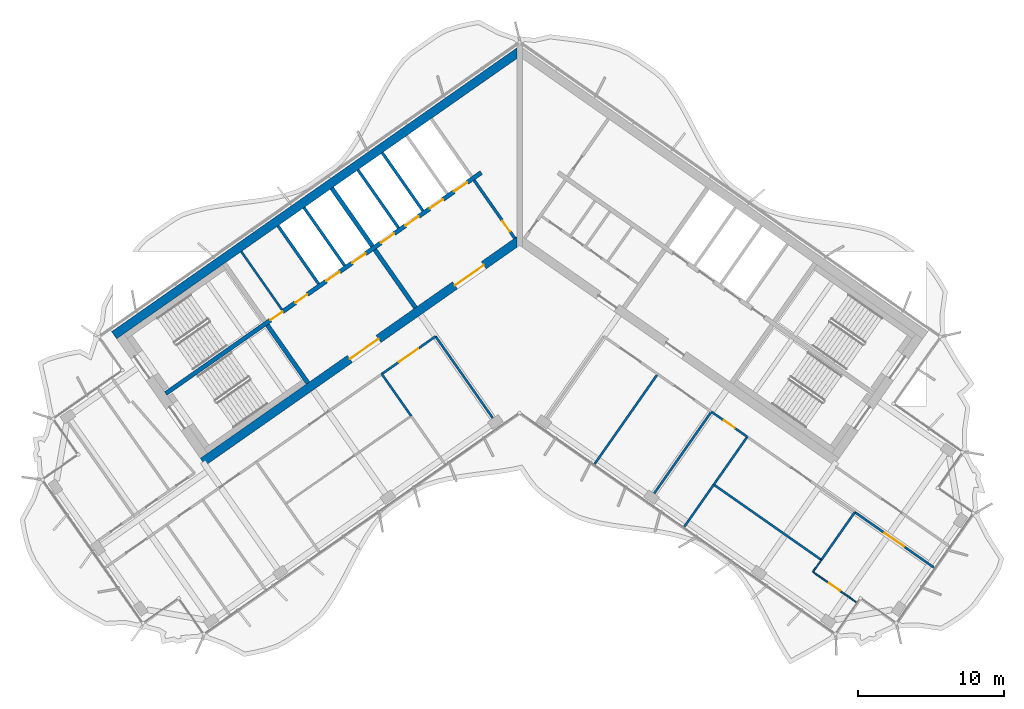
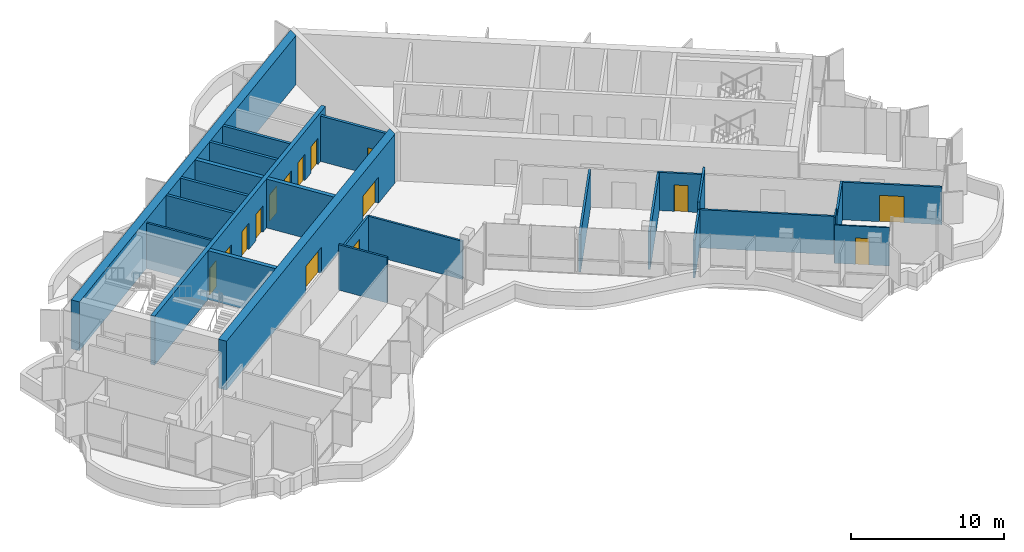
# One storey, part 10 of 18: 25 walls, 15 doors, 15 openings.
"""IFC4 building model written with IfcOpenShell, lengths in metres."""

from ifc_helpers import new_model, si_unit, direction, frame, frame_2d, origin, place, context, subcontext, project, spatial, polyline, rectangle, outline, extrude, material, layer, layer_set, type_object, element, fill, save


model = new_model("IFC4")

# Units and contexts
model_context = context("Model", 3, precision=1e-05, world=origin(), true_north=direction((0.0, 1.0)))
body_context = subcontext(model_context, "Body", "Model", "MODEL_VIEW")
ifc_project = project(units=[si_unit("LENGTHUNIT", "METRE"), si_unit("AREAUNIT", "SQUARE_METRE"), si_unit("VOLUMEUNIT", "CUBIC_METRE"), si_unit("PLANEANGLEUNIT", "RADIAN"), si_unit("MASSUNIT", "GRAM", prefix="KILO")], contexts=[model_context])

# Site, building, storey
site_placement = place(None, origin())
site = spatial("IfcSite", under=ifc_project, at=site_placement, CompositionType="ELEMENT")
building_placement = place(site_placement, origin())
building = spatial("IfcBuilding", under=site, at=building_placement, Name="Tel Ilan Convention Tower", CompositionType="ELEMENT")
storey_placement = place(building_placement, frame((0.0, 0.0, 264.39990234375)))
storey = spatial("IfcBuildingStorey", under=building, at=storey_placement, Name="L62", CompositionType="ELEMENT", Elevation=264.39990234375)

# Wall
ifc_material_1 = material(Name="Gypsum Plasterboard on Steel Stud", Category="steel")
ifc_layer_1 = layer(ifc_material_1, 0.14990234375)
ifc_layer_set_1 = layer_set([ifc_layer_1], Name="Core Room Partition Wall 150 mm EI 60")
wall_type_1 = type_object("IfcWallType", Name="Core Room Partition Wall 150 mm EI 60", PredefinedType="PARTITIONING", material=ifc_layer_set_1)
wall_1_placement = place(storey_placement, frame((-16.302001953125, -5.6162109375, 0.0), z_axis=(0.0, 0.0, 1.0), x_axis=(-0.573560315113, 0.819163332265, 0.0)))
element("IfcWall", 1, at=wall_1_placement, inside=storey, type_object=wall_type_1, Name="L62 core wall bank-W2-split", PredefinedType="PARTITIONING", context=body_context, shape_type="SweptSolid", body=[
    extrude(rectangle(XDim=4.849853515625, YDim=0.14990234375, at=frame_2d((2.4248046875, 0.0))), origin(), (0.0, 0.0, 1.0), 3.6201171875),
])

# Wall, opening, door
ifc_material_2 = material(Name="Concrete C30/37", Category="concrete")
ifc_layer_2 = layer(ifc_material_2, 0.199951171875)
ifc_layer_set_2 = layer_set([ifc_layer_2], Name="Core Service Room Wall 200 mm C30/37")
wall_type_2 = type_object("IfcWallType", Name="Core Service Room Wall 200 mm C30/37", PredefinedType="SOLIDWALL", material=ifc_layer_set_2)
wall_2_placement = place(storey_placement, frame((-0.343994140625, -0.729248046875, 0.0), z_axis=(0.0, 0.0, 1.0), x_axis=(-0.573560315113, 0.819163332265, 0.0)))
wall_2 = element("IfcWall", 2, at=wall_2_placement, inside=storey, type_object=wall_type_2, Name="L62 core wall apex-W", PredefinedType="SOLIDWALL", context=body_context, shape_type="SweptSolid", body=[
    extrude(rectangle(XDim=4.849853515625, YDim=0.199951171875, at=frame_2d((2.4248046875, 0.0))), origin(), (0.0, 0.0, 1.0), 3.6201171875),
])
opening_1_placement = place(wall_2_placement, frame((0.550048828125, 0.0, 0.0)))
opening_1 = element("IfcOpeningElement", 3, at=opening_1_placement, cuts=wall_2, Name="Opening CD4702", PredefinedType="OPENING", context=body_context, shape_type="SweptSolid", body=[
    extrude(rectangle(XDim=0.89990234375, YDim=2.10009765625, at=frame_2d((0.449951171875, 1.050048828125))), frame((0.0, 0.10986328125, 0.0), z_axis=(0.0, -1.0, 0.0), x_axis=(1.0, 0.0, 0.0)), (0.0, 0.0, 1.0), 0.219970703125),
])
ifc_material_3 = material(Name="Galvanised Steel Door Leaf", Category="steel")
door_type_1 = type_object("IfcDoorType", Name="Service Room Door 900 x 2100 FD60", OperationType="NOTDEFINED", PredefinedType="DOOR", material=ifc_material_3)
door_1_placement = place(opening_1_placement, origin())
door_1 = element("IfcDoor", 4, at=door_1_placement, inside=storey, type_object=door_type_1, Name="Riser Room door", OperationType="SINGLE_SWING_RIGHT", OverallHeight=2.10009765625, OverallWidth=0.89990234375, PredefinedType="DOOR", context=body_context, shape_type="SweptSolid", body=[
    extrude(rectangle(XDim=0.89990234375, YDim=2.10009765625, at=frame_2d((0.449951171875, 1.050048828125))), frame((0.0, 0.02490234375, 0.0), z_axis=(0.0, -1.0, 0.0), x_axis=(1.0, 0.0, 0.0)), (0.0, 0.0, 1.0), 0.050048828125),
])
fill(opening_1, door_1)

# Walls
ifc_material_4 = material(Name="Concrete C40/50", Category="concrete")
ifc_layer_3 = layer(ifc_material_4, 0.300048828125)
ifc_layer_set_3 = layer_set([ifc_layer_3], Name="Core Shear Wall 300 mm C40/50")
wall_type_3 = type_object("IfcWallType", Name="Core Shear Wall 300 mm C40/50", PredefinedType="SHEAR", material=ifc_layer_set_3)
wall_3_placement = place(storey_placement, frame((-7.142822265625, -5.48974609375, 0.0), z_axis=(0.0, 0.0, 1.0), x_axis=(-0.573617744349, 0.819123118565, 0.0)))
element("IfcWall", 5, at=wall_3_placement, inside=storey, type_object=wall_type_3, Name="L62 core wall W-cross1-1", PredefinedType="SHEAR", context=body_context, shape_type="SweptSolid", body=[
    extrude(outline(polyline([(4.85009765625, 0.14990234375), (0.0, 0.150146484375), (0.0, -0.14990234375), (4.85009765625, -0.150146484375), (4.85009765625, 0.14990234375)])), origin(), (0.0, 0.0, 1.0), 3.900146484375),
])
wall_4_placement = place(storey_placement, frame((-10.096923828125, -1.271240234375, 0.0), z_axis=(0.0, 0.0, 1.0), x_axis=(-0.573560315113, 0.819163332265, 0.0)))
element("IfcWall", 6, at=wall_4_placement, inside=storey, type_object=wall_type_3, Name="L62 core wall W-cross1-2", PredefinedType="SHEAR", context=body_context, shape_type="SweptSolid", body=[
    extrude(outline(polyline([(4.849853515625, -0.14990234375), (4.849853515625, 0.150146484375), (0.0, 0.14990234375), (0.0, -0.150146484375), (4.849853515625, -0.14990234375)])), origin(), (0.0, 0.0, 1.0), 3.900146484375),
])
wall_5_placement = place(storey_placement, frame((-14.515380859375, -10.652099609375, 0.0), z_axis=(0.0, 0.0, 1.0), x_axis=(-0.573560315113, 0.819163332265, 0.0)))
element("IfcWall", 7, at=wall_5_placement, inside=storey, type_object=wall_type_3, Name="L62 core wall W-cross2-1", PredefinedType="SHEAR", context=body_context, shape_type="SweptSolid", body=[
    extrude(outline(polyline([(4.85009765625, 0.14990234375), (0.0, 0.14990234375), (0.0, -0.150146484375), (4.85009765625, -0.14990234375), (4.85009765625, 0.14990234375)])), origin(), (0.0, 0.0, 1.0), 3.900146484375),
])

# Wall, openings, doors
wall_6_placement = place(storey_placement, frame((-2.638427734375, 3.76806640625, 0.0), z_axis=(0.0, 0.0, 1.0), x_axis=(-0.819155014212, -0.573572194837, 0.0)))
wall_6 = element("IfcWall", 8, at=wall_6_placement, inside=storey, type_object=wall_type_3, Name="L62 core wall W-spine", PredefinedType="SHEAR", context=body_context, shape_type="SweptSolid", body=[
    extrude(outline(polyline([(26.39990234375, 0.150146484375), (0.0, 0.14990234375), (0.0, -0.150146484375), (26.39990234375, -0.14990234375), (26.39990234375, 0.150146484375)])), origin(), (0.0, 0.0, 1.0), 3.900146484375),
])
opening_2_placement = place(wall_6_placement, frame((1.168701171875, 0.0, 0.0)))
opening_2 = element("IfcOpeningElement", 9, at=opening_2_placement, cuts=wall_6, Name="Opening LD4704", PredefinedType="OPENING", context=body_context, shape_type="SweptSolid", body=[
    extrude(rectangle(XDim=1.10009765625, YDim=2.10009765625, at=frame_2d((0.550048828125, 1.050048828125))), frame((0.0, 0.159912109375, 0.0), z_axis=(0.0, -1.0, 0.0), x_axis=(1.0, 0.0, 0.0)), (0.0, 0.0, 1.0), 0.320068359375),
])
opening_3_placement = place(wall_6_placement, frame((3.206298828125, 0.0, 0.0)))
opening_3 = element("IfcOpeningElement", 10, at=opening_3_placement, cuts=wall_6, Name="Opening LD4705", PredefinedType="OPENING", context=body_context, shape_type="SweptSolid", body=[
    extrude(rectangle(XDim=1.10009765625, YDim=2.10009765625, at=frame_2d((0.550048828125, 1.050048828125))), frame((0.0, 0.159912109375, 0.0), z_axis=(0.0, -1.0, 0.0), x_axis=(1.0, 0.0, 0.0)), (0.0, 0.0, 1.0), 0.320068359375),
])
opening_4_placement = place(wall_6_placement, frame((5.24365234375, 0.0, 0.0)))
opening_4 = element("IfcOpeningElement", 11, at=opening_4_placement, cuts=wall_6, Name="Opening LD4706", PredefinedType="OPENING", context=body_context, shape_type="SweptSolid", body=[
    extrude(rectangle(XDim=1.10009765625, YDim=2.10009765625, at=frame_2d((0.550048828125, 1.050048828125))), frame((0.0, 0.159912109375, 0.0), z_axis=(0.0, -1.0, 0.0), x_axis=(1.0, 0.0, 0.0)), (0.0, 0.0, 1.0), 0.320068359375),
])
opening_5_placement = place(wall_6_placement, frame((7.28125, 0.0, 0.0)))
opening_5 = element("IfcOpeningElement", 12, at=opening_5_placement, cuts=wall_6, Name="Opening LD4707", PredefinedType="OPENING", context=body_context, shape_type="SweptSolid", body=[
    extrude(rectangle(XDim=1.10009765625, YDim=2.10009765625, at=frame_2d((0.550048828125, 1.050048828125))), frame((0.0, 0.159912109375, 0.0), z_axis=(0.0, -1.0, 0.0), x_axis=(1.0, 0.0, 0.0)), (0.0, 0.0, 1.0), 0.320068359375),
])
opening_6_placement = place(wall_6_placement, frame((9.6875, 0.0, 0.0)))
opening_6 = element("IfcOpeningElement", 13, at=opening_6_placement, cuts=wall_6, Name="Opening LD4708", PredefinedType="OPENING", context=body_context, shape_type="SweptSolid", body=[
    extrude(rectangle(XDim=1.10009765625, YDim=2.10009765625, at=frame_2d((0.550048828125, 1.050048828125))), frame((0.0, 0.159912109375, 0.0), z_axis=(0.0, -1.0, 0.0), x_axis=(1.0, 0.0, 0.0)), (0.0, 0.0, 1.0), 0.320068359375),
])
opening_7_placement = place(wall_6_placement, frame((11.862548828125, 0.0, 0.0)))
opening_7 = element("IfcOpeningElement", 14, at=opening_7_placement, cuts=wall_6, Name="Opening LD4709", PredefinedType="OPENING", context=body_context, shape_type="SweptSolid", body=[
    extrude(rectangle(XDim=1.10009765625, YDim=2.10009765625, at=frame_2d((0.550048828125, 1.050048828125))), frame((0.0, 0.159912109375, 0.0), z_axis=(0.0, -1.0, 0.0), x_axis=(1.0, 0.0, 0.0)), (0.0, 0.0, 1.0), 0.320068359375),
])
opening_8_placement = place(wall_6_placement, frame((14.552490234375, 0.0, 0.0)))
opening_8 = element("IfcOpeningElement", 15, at=opening_8_placement, cuts=wall_6, Name="Opening CD4709", PredefinedType="OPENING", context=body_context, shape_type="SweptSolid", body=[
    extrude(rectangle(XDim=1.0, YDim=2.10009765625, at=frame_2d((0.5, 1.050048828125))), frame((0.0, 0.159912109375, 0.0), z_axis=(0.0, -1.0, 0.0), x_axis=(1.0, 0.0, 0.0)), (0.0, 0.0, 1.0), 0.320068359375),
])
opening_9_placement = place(wall_6_placement, frame((16.62744140625, 0.0, 0.0)))
opening_9 = element("IfcOpeningElement", 16, at=opening_9_placement, cuts=wall_6, Name="Opening CD4710", PredefinedType="OPENING", context=body_context, shape_type="SweptSolid", body=[
    extrude(rectangle(XDim=1.0, YDim=2.10009765625, at=frame_2d((0.5, 1.050048828125))), frame((0.0, 0.159912109375, 0.0), z_axis=(0.0, -1.0, 0.0), x_axis=(1.0, 0.0, 0.0)), (0.0, 0.0, 1.0), 0.320068359375),
])
ifc_material_5 = material(Name="Stainless Steel Sliding Door Leaf", Category="steel")
door_type_2 = type_object("IfcDoorType", Name="Lift Landing Door 1100 x 2100 FD120", OperationType="NOTDEFINED", PredefinedType="DOOR", material=ifc_material_5)
door_2_placement = place(opening_2_placement, origin())
door_2 = element("IfcDoor", 17, at=door_2_placement, inside=storey, type_object=door_type_2, Name="Lift HR1 landing door", OperationType="SLIDING_TO_LEFT", OverallHeight=2.10009765625, OverallWidth=1.10009765625, PredefinedType="DOOR", context=body_context, shape_type="SweptSolid", body=[
    extrude(rectangle(XDim=1.10009765625, YDim=2.10009765625, at=frame_2d((0.550048828125, 1.050048828125))), frame((0.0, 0.02490234375, 0.0), z_axis=(0.0, -1.0, 0.0), x_axis=(1.0, 0.0, 0.0)), (0.0, 0.0, 1.0), 0.050048828125),
])
fill(opening_2, door_2)
door_3_placement = place(opening_3_placement, origin())
door_3 = element("IfcDoor", 18, at=door_3_placement, inside=storey, type_object=door_type_2, Name="Lift HR2 landing door", OperationType="SLIDING_TO_RIGHT", OverallHeight=2.10009765625, OverallWidth=1.10009765625, PredefinedType="DOOR", context=body_context, shape_type="SweptSolid", body=[
    extrude(rectangle(XDim=1.10009765625, YDim=2.10009765625, at=frame_2d((0.550048828125, 1.050048828125))), frame((0.0, 0.02490234375, 0.0), z_axis=(0.0, -1.0, 0.0), x_axis=(1.0, 0.0, 0.0)), (0.0, 0.0, 1.0), 0.050048828125),
])
fill(opening_3, door_3)
door_4_placement = place(opening_4_placement, origin())
door_4 = element("IfcDoor", 19, at=door_4_placement, inside=storey, type_object=door_type_2, Name="Lift HR3 landing door", OperationType="SLIDING_TO_LEFT", OverallHeight=2.10009765625, OverallWidth=1.10009765625, PredefinedType="DOOR", context=body_context, shape_type="SweptSolid", body=[
    extrude(rectangle(XDim=1.10009765625, YDim=2.10009765625, at=frame_2d((0.550048828125, 1.050048828125))), frame((0.0, 0.02490234375, 0.0), z_axis=(0.0, -1.0, 0.0), x_axis=(1.0, 0.0, 0.0)), (0.0, 0.0, 1.0), 0.050048828125),
])
fill(opening_4, door_4)
door_5_placement = place(opening_5_placement, origin())
door_5 = element("IfcDoor", 20, at=door_5_placement, inside=storey, type_object=door_type_2, Name="Lift HR4 landing door", OperationType="SLIDING_TO_RIGHT", OverallHeight=2.10009765625, OverallWidth=1.10009765625, PredefinedType="DOOR", context=body_context, shape_type="SweptSolid", body=[
    extrude(rectangle(XDim=1.10009765625, YDim=2.10009765625, at=frame_2d((0.550048828125, 1.050048828125))), frame((0.0, 0.02490234375, 0.0), z_axis=(0.0, -1.0, 0.0), x_axis=(1.0, 0.0, 0.0)), (0.0, 0.0, 1.0), 0.050048828125),
])
fill(opening_5, door_5)
door_6_placement = place(opening_6_placement, origin())
door_6 = element("IfcDoor", 21, at=door_6_placement, inside=storey, type_object=door_type_2, Name="Lift HR5 landing door", OperationType="SLIDING_TO_LEFT", OverallHeight=2.10009765625, OverallWidth=1.10009765625, PredefinedType="DOOR", context=body_context, shape_type="SweptSolid", body=[
    extrude(rectangle(XDim=1.10009765625, YDim=2.10009765625, at=frame_2d((0.550048828125, 1.050048828125))), frame((0.0, 0.02490234375, 0.0), z_axis=(0.0, -1.0, 0.0), x_axis=(1.0, 0.0, 0.0)), (0.0, 0.0, 1.0), 0.050048828125),
])
fill(opening_6, door_6)
door_7_placement = place(opening_7_placement, origin())
door_7 = element("IfcDoor", 22, at=door_7_placement, inside=storey, type_object=door_type_2, Name="Lift HR6 landing door", OperationType="SLIDING_TO_RIGHT", OverallHeight=2.10009765625, OverallWidth=1.10009765625, PredefinedType="DOOR", context=body_context, shape_type="SweptSolid", body=[
    extrude(rectangle(XDim=1.10009765625, YDim=2.10009765625, at=frame_2d((0.550048828125, 1.050048828125))), frame((0.0, 0.02490234375, 0.0), z_axis=(0.0, -1.0, 0.0), x_axis=(1.0, 0.0, 0.0)), (0.0, 0.0, 1.0), 0.050048828125),
])
fill(opening_7, door_7)
ifc_material_6 = material(Name="Galvanised Steel Door Leaf", Category="steel")
door_type_3 = type_object("IfcDoorType", Name="Service Room Door 1000 x 2100 FD60", OperationType="NOTDEFINED", PredefinedType="DOOR", material=ifc_material_6)
door_8_placement = place(opening_8_placement, origin())
door_8 = element("IfcDoor", 23, at=door_8_placement, inside=storey, type_object=door_type_3, Name="Plant Room door", OperationType="SINGLE_SWING_RIGHT", OverallHeight=2.10009765625, OverallWidth=1.0, PredefinedType="DOOR", context=body_context, shape_type="SweptSolid", body=[
    extrude(rectangle(XDim=1.0, YDim=2.10009765625, at=frame_2d((0.5, 1.050048828125))), frame((0.0, 0.02490234375, 0.0), z_axis=(0.0, -1.0, 0.0), x_axis=(1.0, 0.0, 0.0)), (0.0, 0.0, 1.0), 0.050048828125),
])
fill(opening_8, door_8)
door_9_placement = place(opening_9_placement, origin())
door_9 = element("IfcDoor", 24, at=door_9_placement, inside=storey, type_object=door_type_3, Name="Plant Room door", OperationType="SINGLE_SWING_RIGHT", OverallHeight=2.10009765625, OverallWidth=1.0, PredefinedType="DOOR", context=body_context, shape_type="SweptSolid", body=[
    extrude(rectangle(XDim=1.0, YDim=2.10009765625, at=frame_2d((0.5, 1.050048828125))), frame((0.0, 0.02490234375, 0.0), z_axis=(0.0, -1.0, 0.0), x_axis=(1.0, 0.0, 0.0)), (0.0, 0.0, 1.0), 0.050048828125),
])
fill(opening_9, door_9)

# Wall
ifc_material_7 = material(Name="Concrete C40/50", Category="concrete")
ifc_layer_4 = layer(ifc_material_7, 0.60009765625)
ifc_layer_set_4 = layer_set([ifc_layer_4], Name="Core Shear Wall 600 mm C40/50")
wall_type_4 = type_object("IfcWallType", Name="Core Shear Wall 600 mm C40/50", PredefinedType="SHEAR", material=ifc_layer_set_4)
wall_7_placement = place(storey_placement, frame((-0.02783203125, 12.066162109375, 0.0), z_axis=(0.0, 0.0, 1.0), x_axis=(-0.819151382952, -0.573577380837, 0.0)))
element("IfcWall", 25, at=wall_7_placement, inside=storey, type_object=wall_type_4, Name="L62 core wall W-back", PredefinedType="SHEAR", context=body_context, shape_type="SweptSolid", body=[
    extrude(outline(polyline([(33.89794921875, 0.300048828125), (0.420166015625, 0.300048828125), (0.0, -0.300048828125), (33.898193359375, -0.300048828125), (33.89794921875, 0.300048828125)])), origin(), (0.0, 0.0, 1.0), 3.900146484375),
])

# Wall, openings, doors
wall_8_placement = place(storey_placement, frame((-0.02783203125, -0.8740234375, 0.0), z_axis=(0.0, 0.0, 1.0), x_axis=(-0.819150035022, -0.573579305871, 0.0)))
wall_8 = element("IfcWall", 26, at=wall_8_placement, inside=storey, type_object=wall_type_4, Name="L62 core wall W-front", PredefinedType="SHEAR", context=body_context, shape_type="SweptSolid", body=[
    extrude(outline(polyline([(26.475830078125, 0.2998046875), (0.420166015625, 0.300048828125), (0.000244140625, -0.300048828125), (26.475830078125, -0.300048828125), (26.475830078125, 0.2998046875)])), origin(), (0.0, 0.0, 1.0), 3.900146484375),
])
opening_10_placement = place(wall_8_placement, frame((2.975830078125, 0.0, 0.0)))
opening_10 = element("IfcOpeningElement", 27, at=opening_10_placement, cuts=wall_8, Name="Opening CD4706", PredefinedType="OPENING", context=body_context, shape_type="SweptSolid", body=[
    extrude(rectangle(XDim=2.39990234375, YDim=2.10009765625, at=frame_2d((1.199951171875, 1.050048828125))), frame((0.0, 0.31005859375, 0.0), z_axis=(0.0, -1.0, 0.0), x_axis=(1.0, 0.0, 0.0)), (0.0, 0.0, 1.0), 0.6201171875),
])
opening_11_placement = place(wall_8_placement, frame((11.77587890625, 0.0, 0.0)))
opening_11 = element("IfcOpeningElement", 28, at=opening_11_placement, cuts=wall_8, Name="Opening CD4707", PredefinedType="OPENING", context=body_context, shape_type="SweptSolid", body=[
    extrude(rectangle(XDim=2.39990234375, YDim=2.10009765625, at=frame_2d((1.199951171875, 1.050048828125))), frame((0.0, 0.31005859375, 0.0), z_axis=(0.0, -1.0, 0.0), x_axis=(1.0, 0.0, 0.0)), (0.0, 0.0, 1.0), 0.6201171875),
])
ifc_material_8 = material(Name="Glazed Aluminium Door Leaf", Category="aluminium")
door_type_4 = type_object("IfcDoorType", Name="Lobby Opening Door 2400 x 2100 FD60S", OperationType="NOTDEFINED", PredefinedType="DOOR", material=ifc_material_8)
door_10_placement = place(opening_10_placement, origin())
door_10 = element("IfcDoor", 29, at=door_10_placement, inside=storey, type_object=door_type_4, Name="Lift Lobby HR1-HR4 opening", OperationType="DOUBLE_DOOR_SINGLE_SWING", OverallHeight=2.10009765625, OverallWidth=2.39990234375, PredefinedType="DOOR", context=body_context, shape_type="SweptSolid", body=[
    extrude(rectangle(XDim=2.39990234375, YDim=2.10009765625, at=frame_2d((1.199951171875, 1.050048828125))), frame((0.0, 0.02490234375, 0.0), z_axis=(0.0, -1.0, 0.0), x_axis=(1.0, 0.0, 0.0)), (0.0, 0.0, 1.0), 0.050048828125),
])
fill(opening_10, door_10)
door_11_placement = place(opening_11_placement, origin())
door_11 = element("IfcDoor", 30, at=door_11_placement, inside=storey, type_object=door_type_4, Name="Lift Lobby HR5-HR6 opening", OperationType="DOUBLE_DOOR_SINGLE_SWING", OverallHeight=2.10009765625, OverallWidth=2.39990234375, PredefinedType="DOOR", context=body_context, shape_type="SweptSolid", body=[
    extrude(rectangle(XDim=2.39990234375, YDim=2.10009765625, at=frame_2d((1.199951171875, 1.050048828125))), frame((0.0, 0.02490234375, 0.0), z_axis=(0.0, -1.0, 0.0), x_axis=(1.0, 0.0, 0.0)), (0.0, 0.0, 1.0), 0.050048828125),
])
fill(opening_11, door_11)

# Wall, opening, door
ifc_material_9 = material(Name="Plasterboard on Steel Studs", Category="steel")
ifc_layer_5 = layer(ifc_material_9, 0.14990234375)
ifc_layer_set_5 = layer_set([ifc_layer_5], Name="Fire-rated Partition 150 EI 60")
wall_type_5 = type_object("IfcWallType", Name="Fire-rated Partition 150 EI 60", PredefinedType="PARTITIONING", material=ifc_layer_set_5)
wall_9_placement = place(storey_placement, frame((15.597900390625, -14.33984375, 0.0), z_axis=(0.0, 0.0, 1.0), x_axis=(-0.81916700466, 0.573555070134, 0.0)))
wall_9 = element("IfcWall", 31, at=wall_9_placement, inside=storey, type_object=wall_type_5, Name="Partition 004", PredefinedType="PARTITIONING", context=body_context, shape_type="SweptSolid", body=[
    extrude(rectangle(XDim=3.00390625, YDim=0.14990234375, at=frame_2d((1.501953125, 0.0))), origin(), (0.0, 0.0, 1.0), 3.050048828125),
])
opening_12_placement = place(wall_9_placement, frame((1.052001953125, 0.0, 0.0)))
opening_12 = element("IfcOpeningElement", 32, at=opening_12_placement, cuts=wall_9, Name="Opening L62-012", PredefinedType="OPENING", context=body_context, shape_type="SweptSolid", body=[
    extrude(rectangle(XDim=0.89990234375, YDim=2.10009765625, at=frame_2d((0.449951171875, 1.050048828125))), frame((0.0, 0.0849609375, 0.0), z_axis=(0.0, -1.0, 0.0), x_axis=(1.0, 0.0, 0.0)), (0.0, 0.0, 1.0), 0.169921875),
])
ifc_material_10 = material(Name="Timber Door Leaf in Steel Frame", Category="steel")
door_type_5 = type_object("IfcDoorType", Name="Room Fire Door 900x2100", OperationType="NOTDEFINED", PredefinedType="DOOR", material=ifc_material_10)
door_12_placement = place(opening_12_placement, origin())
door_12 = element("IfcDoor", 33, at=door_12_placement, inside=storey, type_object=door_type_5, Name="Door L62-012", OperationType="SINGLE_SWING_LEFT", OverallHeight=2.10009765625, OverallWidth=0.89990234375, PredefinedType="DOOR", context=body_context, shape_type="SweptSolid", body=[
    extrude(rectangle(XDim=0.89990234375, YDim=2.10009765625, at=frame_2d((0.449951171875, 1.050048828125))), frame((0.0, 0.02490234375, 0.0), z_axis=(0.0, -1.0, 0.0), x_axis=(1.0, 0.0, 0.0)), (0.0, 0.0, 1.0), 0.050048828125),
])
fill(opening_12, door_12)

wall_10_placement = place(storey_placement, frame((28.375, -23.28662109375, 0.0), z_axis=(0.0, 0.0, 1.0), x_axis=(-0.81915199888, 0.573576501202, 0.0)))
wall_10 = element("IfcWall", 34, at=wall_10_placement, inside=storey, type_object=wall_type_5, Name="Partition 006", PredefinedType="PARTITIONING", context=body_context, shape_type="SweptSolid", body=[
    extrude(rectangle(XDim=6.602294921875, YDim=0.14990234375, at=frame_2d((3.30126953125, 0.0))), origin(), (0.0, 0.0, 1.0), 3.0),
])
opening_13_placement = place(wall_10_placement, frame((2.5009765625, 0.0, 0.0)))
opening_13 = element("IfcOpeningElement", 35, at=opening_13_placement, cuts=wall_10, Name="Opening L62-014", PredefinedType="OPENING", context=body_context, shape_type="SweptSolid", body=[
    extrude(rectangle(XDim=1.60009765625, YDim=2.10009765625, at=frame_2d((0.800048828125, 1.050048828125))), frame((0.0, 0.0849609375, 0.0), z_axis=(0.0, -1.0, 0.0), x_axis=(1.0, 0.0, 0.0)), (0.0, 0.0, 1.0), 0.169921875),
])
ifc_material_11 = material(Name="Timber Door Leaf in Steel Frame", Category="steel")
door_type_6 = type_object("IfcDoorType", Name="Tenant Suite Entrance Fire Door 1600x2100", OperationType="NOTDEFINED", PredefinedType="DOOR", material=ifc_material_11)
door_13_placement = place(opening_13_placement, origin())
door_13 = element("IfcDoor", 36, at=door_13_placement, inside=storey, type_object=door_type_6, Name="Door L62-014", OperationType="DOUBLE_DOOR_SINGLE_SWING", OverallHeight=2.10009765625, OverallWidth=1.60009765625, PredefinedType="DOOR", context=body_context, shape_type="SweptSolid", body=[
    extrude(rectangle(XDim=1.60009765625, YDim=2.10009765625, at=frame_2d((0.800048828125, 1.050048828125))), frame((0.0, 0.02490234375, 0.0), z_axis=(0.0, -1.0, 0.0), x_axis=(1.0, 0.0, 0.0)), (0.0, 0.0, 1.0), 0.050048828125),
])
fill(opening_13, door_13)

wall_11_placement = place(storey_placement, frame((-5.766357421875, -7.455810546875, 0.0), z_axis=(0.0, 0.0, 1.0), x_axis=(-0.819142740634, -0.573589723117, 0.0)))
wall_11 = element("IfcWall", 37, at=wall_11_placement, inside=storey, type_object=wall_type_5, Name="Partition 010", PredefinedType="PARTITIONING", context=body_context, shape_type="SweptSolid", body=[
    extrude(rectangle(XDim=4.501953125, YDim=0.14990234375, at=frame_2d((2.2509765625, 0.0))), origin(), (0.0, 0.0, 1.0), 3.050048828125),
])
opening_14_placement = place(wall_11_placement, frame((1.450927734375, 0.0, 0.0)))
opening_14 = element("IfcOpeningElement", 38, at=opening_14_placement, cuts=wall_11, Name="Opening L62-001", PredefinedType="OPENING", context=body_context, shape_type="SweptSolid", body=[
    extrude(rectangle(XDim=1.60009765625, YDim=2.10009765625, at=frame_2d((0.800048828125, 1.050048828125))), frame((0.0, 0.0849609375, 0.0), z_axis=(0.0, -1.0, 0.0), x_axis=(1.0, 0.0, 0.0)), (0.0, 0.0, 1.0), 0.169921875),
])
door_14_placement = place(opening_14_placement, origin())
door_14 = element("IfcDoor", 39, at=door_14_placement, inside=storey, type_object=door_type_6, Name="Door L62-001", OperationType="DOUBLE_DOOR_SINGLE_SWING", OverallHeight=2.10009765625, OverallWidth=1.60009765625, PredefinedType="DOOR", context=body_context, shape_type="SweptSolid", body=[
    extrude(rectangle(XDim=1.60009765625, YDim=2.10009765625, at=frame_2d((0.800048828125, 1.050048828125))), frame((0.0, 0.02490234375, 0.0), z_axis=(0.0, -1.0, 0.0), x_axis=(1.0, 0.0, 0.0)), (0.0, 0.0, 1.0), 0.050048828125),
])
fill(opening_14, door_14)

# Walls
wall_12_placement = place(storey_placement, frame((9.452392578125, -10.036865234375, 0.0), z_axis=(0.0, 0.0, 1.0), x_axis=(-0.573575945067, -0.81915238829, 0.0)))
element("IfcWall", 40, at=wall_12_placement, inside=storey, type_object=wall_type_5, Name="Partition 015", PredefinedType="PARTITIONING", context=body_context, shape_type="SweptSolid", body=[
    extrude(rectangle(XDim=7.5, YDim=0.14990234375, at=frame_2d((3.75, 0.0))), origin(), (0.0, 0.0, 1.0), 3.0),
])
wall_13_placement = place(storey_placement, frame((13.138671875, -12.617919921875, 0.0), z_axis=(0.0, 0.0, 1.0), x_axis=(-0.573560698343, -0.819163063936, 0.0)))
element("IfcWall", 41, at=wall_13_placement, inside=storey, type_object=wall_type_5, Name="Partition 017", PredefinedType="PARTITIONING", context=body_context, shape_type="SweptSolid", body=[
    extrude(rectangle(XDim=6.830078125, YDim=0.14990234375, at=frame_2d((3.4150390625, 0.0))), origin(), (0.0, 0.0, 1.0), 3.050048828125),
])
wall_14_placement = place(storey_placement, frame((15.59619140625, -14.338623046875, 0.0), z_axis=(0.0, 0.0, 1.0), x_axis=(-0.573560601885, -0.819163131473, 0.0)))
element("IfcWall", 42, at=wall_14_placement, inside=storey, type_object=wall_type_5, Name="Partition 018", PredefinedType="PARTITIONING", context=body_context, shape_type="SweptSolid", body=[
    extrude(rectangle(XDim=4.001953125, YDim=0.14990234375, at=frame_2d((2.0009765625, 0.0))), origin(), (0.0, 0.0, 1.0), 3.6201171875),
])
wall_15_placement = place(storey_placement, frame((13.302490234375, -17.614501953125, 0.0), z_axis=(0.0, 0.0, 1.0), x_axis=(-0.573560622794, -0.819163116834, 0.0)))
element("IfcWall", 43, at=wall_15_placement, inside=storey, type_object=wall_type_5, Name="Partition 019", PredefinedType="PARTITIONING", context=body_context, shape_type="SweptSolid", body=[
    extrude(rectangle(XDim=3.5009765625, YDim=0.14990234375, at=frame_2d((1.75048828125, 0.0))), origin(), (0.0, 0.0, 1.0), 3.0),
])
wall_16_placement = place(storey_placement, frame((20.67431640625, -22.777587890625, 0.0), z_axis=(0.0, 0.0, 1.0), x_axis=(-0.819141427692, 0.573591598124, 0.0)))
element("IfcWall", 44, at=wall_16_placement, inside=storey, type_object=wall_type_5, Name="Partition 020", PredefinedType="PARTITIONING", context=body_context, shape_type="SweptSolid", body=[
    extrude(rectangle(XDim=9.0, YDim=0.14990234375, at=frame_2d((4.5, 0.0))), origin(), (0.0, 0.0, 1.0), 3.050048828125),
])
wall_17_placement = place(storey_placement, frame((22.968505859375, -19.5009765625, 0.0), z_axis=(0.0, 0.0, 1.0), x_axis=(-0.573556557423, -0.819165963305, 0.0)))
element("IfcWall", 45, at=wall_17_placement, inside=storey, type_object=wall_type_5, Name="Partition 021", PredefinedType="PARTITIONING", context=body_context, shape_type="SweptSolid", body=[
    extrude(rectangle(XDim=4.0, YDim=0.14990234375, at=frame_2d((2.0, 0.0))), origin(), (0.0, 0.0, 1.0), 3.050048828125),
])
wall_18_placement = place(storey_placement, frame((-1.848876953125, -13.050537109375, 0.0), z_axis=(0.0, 0.0, 1.0), x_axis=(-0.57357985571, 0.819149650018, 0.0)))
element("IfcWall", 46, at=wall_18_placement, inside=storey, type_object=wall_type_5, Name="Partition 024", PredefinedType="PARTITIONING", context=body_context, shape_type="SweptSolid", body=[
    extrude(rectangle(XDim=6.83203125, YDim=0.14990234375, at=frame_2d((3.416015625, 0.0))), origin(), (0.0, 0.0, 1.0), 3.050048828125),
])
wall_19_placement = place(storey_placement, frame((-7.44384765625, -12.905517578125, 0.0), z_axis=(0.0, 0.0, 1.0), x_axis=(-0.573555919535, 0.819166409935, 0.0)))
element("IfcWall", 47, at=wall_19_placement, inside=storey, type_object=wall_type_5, Name="Partition 030", PredefinedType="PARTITIONING", context=body_context, shape_type="SweptSolid", body=[
    extrude(rectangle(XDim=3.501953125, YDim=0.14990234375, at=frame_2d((1.7509765625, 0.0))), origin(), (0.0, 0.0, 1.0), 3.6201171875),
])
ifc_material_12 = material(Name="Concrete C30/37", Category="concrete")
ifc_layer_6 = layer(ifc_material_12, 0.199951171875)
ifc_layer_set_6 = layer_set([ifc_layer_6], Name="Lift Shaft Wall 200 mm C30/37")
wall_type_6 = type_object("IfcWallType", Name="Lift Shaft Wall 200 mm C30/37", PredefinedType="SOLIDWALL", material=ifc_layer_set_6)
wall_20_placement = place(storey_placement, frame((-6.635986328125, 1.152099609375, 0.0), z_axis=(0.0, 0.0, 1.0), x_axis=(-0.573560315113, 0.819163332265, 0.0)))
element("IfcWall", 48, at=wall_20_placement, inside=storey, type_object=wall_type_6, Name="L62 core wall bank-W1-p1", PredefinedType="SOLIDWALL", context=body_context, shape_type="SweptSolid", body=[
    extrude(rectangle(XDim=4.849853515625, YDim=0.199951171875, at=frame_2d((2.4248046875, 0.0))), origin(), (0.0, 0.0, 1.0), 3.900146484375),
])
wall_21_placement = place(storey_placement, frame((-8.304931640625, -0.0166015625, 0.0), z_axis=(0.0, 0.0, 1.0), x_axis=(-0.573594092424, 0.81913968109, 0.0)))
element("IfcWall", 49, at=wall_21_placement, inside=storey, type_object=wall_type_6, Name="L62 core wall bank-W1-p2", PredefinedType="SOLIDWALL", context=body_context, shape_type="SweptSolid", body=[
    extrude(rectangle(XDim=4.85009765625, YDim=0.199951171875, at=frame_2d((2.425048828125, 0.0))), origin(), (0.0, 0.0, 1.0), 3.900146484375),
])
wall_22_placement = place(storey_placement, frame((-12.00146484375, -2.604736328125, 0.0), z_axis=(0.0, 0.0, 1.0), x_axis=(-0.573560315113, 0.819163332265, 0.0)))
element("IfcWall", 50, at=wall_22_placement, inside=storey, type_object=wall_type_6, Name="L62 core wall bank-W2-p0", PredefinedType="SOLIDWALL", context=body_context, shape_type="SweptSolid", body=[
    extrude(rectangle(XDim=4.849853515625, YDim=0.199951171875, at=frame_2d((2.4248046875, 0.0))), origin(), (0.0, 0.0, 1.0), 3.900146484375),
])
wall_23_placement = place(storey_placement, frame((-13.782958984375, -3.852294921875, 0.0), z_axis=(0.0, 0.0, 1.0), x_axis=(-0.573594092424, 0.81913968109, 0.0)))
element("IfcWall", 51, at=wall_23_placement, inside=storey, type_object=wall_type_6, Name="L62 core wall bank-W2-p1", PredefinedType="SOLIDWALL", context=body_context, shape_type="SweptSolid", body=[
    extrude(rectangle(XDim=4.85009765625, YDim=0.199951171875, at=frame_2d((2.425048828125, 0.0))), origin(), (0.0, 0.0, 1.0), 3.900146484375),
])
ifc_material_13 = material(Name="Plasterboard on Steel Studs", Category="steel")
ifc_layer_7 = layer(ifc_material_13, 0.10009765625)
ifc_layer_set_7 = layer_set([ifc_layer_7], Name="Plasterboard Partition 100")
wall_type_7 = type_object("IfcWallType", Name="Plasterboard Partition 100", PredefinedType="PARTITIONING", material=ifc_layer_set_7)
wall_24_placement = place(storey_placement, frame((20.10009765625, -23.597412109375, 0.0), z_axis=(0.0, 0.0, 1.0), x_axis=(0.573544276158, 0.819174562158, 0.0)))
element("IfcWall", 52, at=wall_24_placement, inside=storey, type_object=wall_type_7, Name="Partition 022", PredefinedType="PARTITIONING", context=body_context, shape_type="SweptSolid", body=[
    extrude(rectangle(XDim=1.0, YDim=0.10009765625, at=frame_2d((0.5, 0.0))), origin(), (0.0, 0.0, 1.0), 3.6201171875),
])

# Wall, opening, door
wall_25_placement = place(storey_placement, frame((23.049072265625, -25.662353515625, 0.0), z_axis=(0.0, 0.0, 1.0), x_axis=(-0.81914589004, 0.573585225429, 0.0)))
wall_25 = element("IfcWall", 53, at=wall_25_placement, inside=storey, type_object=wall_type_7, Name="Partition 023", PredefinedType="PARTITIONING", context=body_context, shape_type="SweptSolid", body=[
    extrude(rectangle(XDim=3.60009765625, YDim=0.10009765625, at=frame_2d((1.800048828125, 0.0))), origin(), (0.0, 0.0, 1.0), 3.050048828125),
])
opening_15_placement = place(wall_25_placement, frame((1.35009765625, 0.0, 0.0)))
opening_15 = element("IfcOpeningElement", 54, at=opening_15_placement, cuts=wall_25, Name="Opening L62-015", PredefinedType="OPENING", context=body_context, shape_type="SweptSolid", body=[
    extrude(rectangle(XDim=0.89990234375, YDim=2.10009765625, at=frame_2d((0.449951171875, 1.050048828125))), frame((0.0, 0.06005859375, 0.0), z_axis=(0.0, -1.0, 0.0), x_axis=(1.0, 0.0, 0.0)), (0.0, 0.0, 1.0), 0.1201171875),
])
ifc_material_14 = material(Name="Timber Door Leaf in Steel Frame", Category="steel")
door_type_7 = type_object("IfcDoorType", Name="Room Timber Door 900x2100", OperationType="NOTDEFINED", PredefinedType="DOOR", material=ifc_material_14)
door_15_placement = place(opening_15_placement, origin())
door_15 = element("IfcDoor", 55, at=door_15_placement, inside=storey, type_object=door_type_7, Name="Door L62-015", OperationType="SINGLE_SWING_LEFT", OverallHeight=2.10009765625, OverallWidth=0.89990234375, PredefinedType="DOOR", context=body_context, shape_type="SweptSolid", body=[
    extrude(rectangle(XDim=0.89990234375, YDim=2.10009765625, at=frame_2d((0.449951171875, 1.050048828125))), frame((0.0, 0.02490234375, 0.0), z_axis=(0.0, -1.0, 0.0), x_axis=(1.0, 0.0, 0.0)), (0.0, 0.0, 1.0), 0.050048828125),
])
fill(opening_15, door_15)

save(model, "model.ifc")
